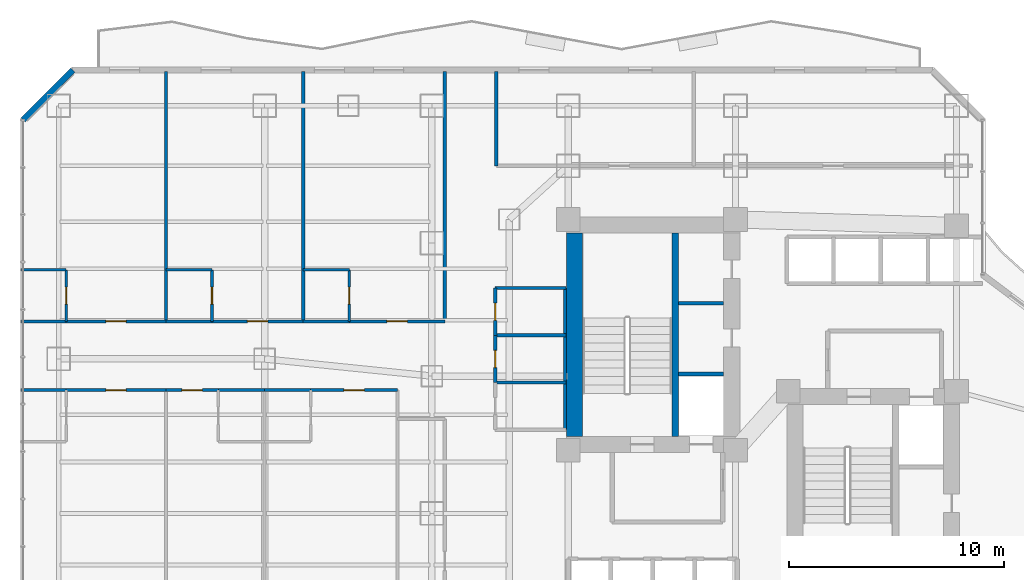
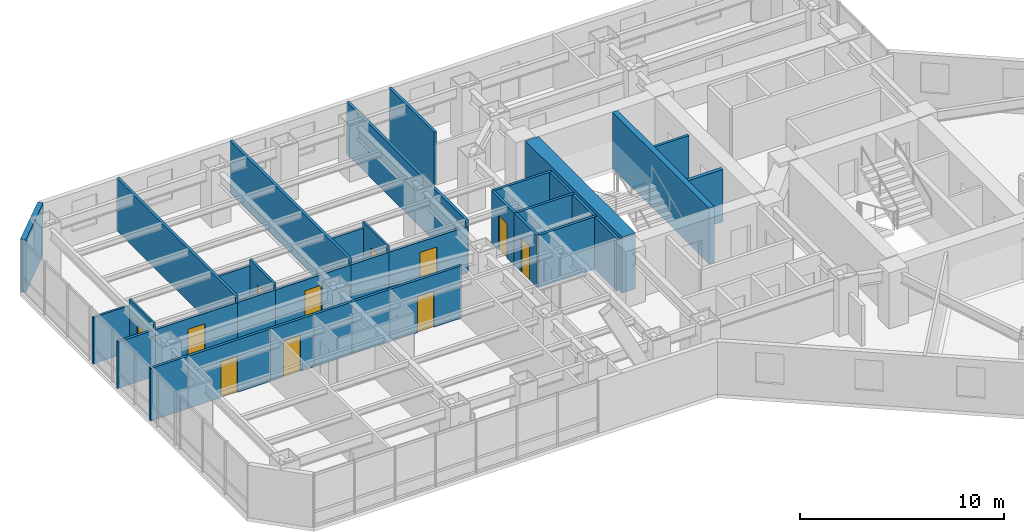
# One storey, part 25 of 32: 33 walls, 11 doors, 11 openings.
"""IFC4 building model written with IfcOpenShell, lengths in metres."""

from ifc_helpers import new_model, si_unit, direction, frame, frame_2d, origin, place, context, subcontext, project, spatial, rectangle, extrude, material, layer, layer_set, type_object, element, fill, save


model = new_model("IFC4")

# Units and contexts
model_context = context("Model", 3, precision=1e-05, world=origin(), true_north=direction((0.0, 1.0)))
body_context = subcontext(model_context, "Body", "Model", "MODEL_VIEW")
ifc_project = project(units=[si_unit("LENGTHUNIT", "METRE"), si_unit("AREAUNIT", "SQUARE_METRE"), si_unit("VOLUMEUNIT", "CUBIC_METRE"), si_unit("PLANEANGLEUNIT", "RADIAN"), si_unit("MASSUNIT", "GRAM", prefix="KILO")], contexts=[model_context])

# Site, building, storey
site_placement = place(None, origin())
site = spatial("IfcSite", under=ifc_project, at=site_placement, CompositionType="ELEMENT")
building_placement = place(site_placement, origin())
building = spatial("IfcBuilding", under=site, at=building_placement, Name="Hatsunagi Terrace Concourse", CompositionType="ELEMENT")
storey_placement = place(building_placement, frame((0.0, 0.0, 36.60009765625)))
storey = spatial("IfcBuildingStorey", under=building, at=storey_placement, Name="L08", CompositionType="ELEMENT", Elevation=36.60009765625)

# Walls
ifc_material_1 = material(Name="Concrete Fc60", Category="concrete")
ifc_layer_1 = layer(ifc_material_1, 0.75)
ifc_layer_set_1 = layer_set([ifc_layer_1], Name="CoreShearWall_Fc60_750")
wall_type_1 = type_object("IfcWallType", Name="CoreShearWall_Fc60_750", PredefinedType="SHEAR", material=ifc_layer_set_1)
wall_1_placement = place(storey_placement, frame((25.844970703125, 33.18994140625, 0.0), z_axis=(0.0, 0.0, 1.0), x_axis=(0.0, 1.0, 0.0)))
element("IfcWall", 1, at=wall_1_placement, inside=storey, type_object=wall_type_1, Name="Core A Shear Wall W L08", PredefinedType="SHEAR", context=body_context, shape_type="SweptSolid", body=[
    extrude(rectangle(XDim=9.47998046875, YDim=0.75, at=frame_2d((4.739990234375, 0.0))), origin(), (0.0, 0.0, 1.0), 3.349853515625),
])
ifc_material_2 = material(Name="Concrete Fc48", Category="concrete")
ifc_layer_2 = layer(ifc_material_2, 0.300048828125)
ifc_layer_set_2 = layer_set([ifc_layer_2], Name="CoreStairDivider_Fc48_300")
wall_type_2 = type_object("IfcWallType", Name="CoreStairDivider_Fc48_300", PredefinedType="SHEAR", material=ifc_layer_set_2)
wall_2_placement = place(storey_placement, frame((30.5400390625, 33.18994140625, 0.0), z_axis=(0.0, 0.0, 1.0), x_axis=(0.0, 1.0, 0.0)))
element("IfcWall", 2, at=wall_2_placement, inside=storey, type_object=wall_type_2, Name="Core A Shear Wall D L08", PredefinedType="SHEAR", context=body_context, shape_type="SweptSolid", body=[
    extrude(rectangle(XDim=9.47998046875, YDim=0.300048828125, at=frame_2d((4.739990234375, 0.0))), origin(), (0.0, 0.0, 1.0), 3.349853515625),
])

# Wall, opening, door
ifc_material_3 = material(Name="Acoustic mineral board", Category="gypsum")
ifc_layer_3 = layer(ifc_material_3, 0.1201171875)
ifc_layer_set_3 = layer_set([ifc_layer_3], Name="PartitionWall_EI30_120")
wall_type_3 = type_object("IfcWallType", Name="PartitionWall_EI30_120", PredefinedType="PARTITIONING", material=ifc_layer_set_3)
wall_3_placement = place(storey_placement, frame((2.14990234375, 38.550048828125, 0.0), z_axis=(0.0, 0.0, 1.0), x_axis=(0.0, 1.0, 0.0)))
wall_3 = element("IfcWall", 3, at=wall_3_placement, inside=storey, type_object=wall_type_3, Name="Interior Partition IW-L08-046", PredefinedType="PARTITIONING", context=body_context, shape_type="SweptSolid", body=[
    extrude(rectangle(XDim=2.39990234375, YDim=0.1201171875, at=frame_2d((1.199951171875, 0.0))), origin(), (0.0, 0.0, 1.0), 3.1298828125),
])
opening_1_placement = place(wall_3_placement, frame((0.800048828125, 0.0, 0.0)))
opening_1 = element("IfcOpeningElement", 4, at=opening_1_placement, cuts=wall_3, Name="Opening DR-080", PredefinedType="OPENING", context=body_context, shape_type="SweptSolid", body=[
    extrude(rectangle(XDim=0.800048828125, YDim=2.06005859375, at=frame_2d((0.39990234375, 1.030029296875))), frame((0.0, 0.070068359375, 0.0), z_axis=(0.0, -1.0, 0.0), x_axis=(1.0, 0.0, 0.0)), (0.0, 0.0, 1.0), 0.14013671875),
])
ifc_material_4 = material(Name="Hardwood timber", Category="wood")
door_type_1 = type_object("IfcDoorType", Name="BathroomDoor_800", OperationType="NOTDEFINED", PredefinedType="DOOR", material=ifc_material_4)
door_1_placement = place(opening_1_placement, origin())
door_1 = element("IfcDoor", 5, at=door_1_placement, inside=storey, type_object=door_type_1, Name="En-Suite Bathroom L08-N1 Door", OperationType="SINGLE_SWING_RIGHT", OverallHeight=2.06005859375, OverallWidth=0.800048828125, PredefinedType="DOOR", context=body_context, shape_type="SweptSolid", body=[
    extrude(rectangle(XDim=0.800048828125, YDim=2.06005859375, at=frame_2d((0.39990234375, 1.030029296875))), frame((0.0, 0.02490234375, 0.0), z_axis=(0.0, -1.0, 0.0), x_axis=(1.0, 0.0, 0.0)), (0.0, 0.0, 1.0), 0.050048828125),
])
fill(opening_1, door_1)

# Wall
wall_4_placement = place(storey_placement, frame((0.0400390625, 40.949951171875, 0.0), z_axis=(0.0, 0.0, 1.0), x_axis=(1.0, 0.0, 0.0)))
element("IfcWall", 6, at=wall_4_placement, inside=storey, type_object=wall_type_3, Name="Interior Partition IW-L08-047", PredefinedType="PARTITIONING", context=body_context, shape_type="SweptSolid", body=[
    extrude(rectangle(XDim=2.10986328125, YDim=0.1201171875, at=frame_2d((1.054931640625, 0.0))), origin(), (0.0, 0.0, 1.0), 2.77490234375),
])

# Wall, opening, door
wall_5_placement = place(storey_placement, frame((8.949951171875, 38.550048828125, 0.0), z_axis=(0.0, 0.0, 1.0), x_axis=(0.0, 1.0, 0.0)))
wall_5 = element("IfcWall", 7, at=wall_5_placement, inside=storey, type_object=wall_type_3, Name="Interior Partition IW-L08-051", PredefinedType="PARTITIONING", context=body_context, shape_type="SweptSolid", body=[
    extrude(rectangle(XDim=2.39990234375, YDim=0.1201171875, at=frame_2d((1.199951171875, 0.0))), origin(), (0.0, 0.0, 1.0), 3.1298828125),
])
opening_2_placement = place(wall_5_placement, frame((0.800048828125, 0.0, 0.0)))
opening_2 = element("IfcOpeningElement", 8, at=opening_2_placement, cuts=wall_5, Name="Opening DR-080", PredefinedType="OPENING", context=body_context, shape_type="SweptSolid", body=[
    extrude(rectangle(XDim=0.800048828125, YDim=2.06005859375, at=frame_2d((0.39990234375, 1.030029296875))), frame((0.0, 0.070068359375, 0.0), z_axis=(0.0, -1.0, 0.0), x_axis=(1.0, 0.0, 0.0)), (0.0, 0.0, 1.0), 0.14013671875),
])
door_2_placement = place(opening_2_placement, origin())
door_2 = element("IfcDoor", 9, at=door_2_placement, inside=storey, type_object=door_type_1, Name="En-Suite Bathroom L08-N2 Door", OperationType="SINGLE_SWING_LEFT", OverallHeight=2.06005859375, OverallWidth=0.800048828125, PredefinedType="DOOR", context=body_context, shape_type="SweptSolid", body=[
    extrude(rectangle(XDim=0.800048828125, YDim=2.06005859375, at=frame_2d((0.39990234375, 1.030029296875))), frame((0.0, 0.02490234375, 0.0), z_axis=(0.0, -1.0, 0.0), x_axis=(1.0, 0.0, 0.0)), (0.0, 0.0, 1.0), 0.050048828125),
])
fill(opening_2, door_2)

# Wall
wall_6_placement = place(storey_placement, frame((6.800048828125, 40.949951171875, 0.0), z_axis=(0.0, 0.0, 1.0), x_axis=(1.0, 0.0, 0.0)))
element("IfcWall", 10, at=wall_6_placement, inside=storey, type_object=wall_type_3, Name="Interior Partition IW-L08-052", PredefinedType="PARTITIONING", context=body_context, shape_type="SweptSolid", body=[
    extrude(rectangle(XDim=2.14990234375, YDim=0.1201171875, at=frame_2d((1.074951171875, 0.0))), origin(), (0.0, 0.0, 1.0), 2.77490234375),
])

# Wall, opening, door
wall_7_placement = place(storey_placement, frame((15.35009765625, 38.550048828125, 0.0), z_axis=(0.0, 0.0, 1.0), x_axis=(0.0, 1.0, 0.0)))
wall_7 = element("IfcWall", 11, at=wall_7_placement, inside=storey, type_object=wall_type_3, Name="Interior Partition IW-L08-056", PredefinedType="PARTITIONING", context=body_context, shape_type="SweptSolid", body=[
    extrude(rectangle(XDim=2.39990234375, YDim=0.1201171875, at=frame_2d((1.199951171875, 0.0))), origin(), (0.0, 0.0, 1.0), 3.1298828125),
])
opening_3_placement = place(wall_7_placement, frame((0.800048828125, 0.0, 0.0)))
opening_3 = element("IfcOpeningElement", 12, at=opening_3_placement, cuts=wall_7, Name="Opening DR-080", PredefinedType="OPENING", context=body_context, shape_type="SweptSolid", body=[
    extrude(rectangle(XDim=0.800048828125, YDim=2.06005859375, at=frame_2d((0.39990234375, 1.030029296875))), frame((0.0, 0.070068359375, 0.0), z_axis=(0.0, -1.0, 0.0), x_axis=(1.0, 0.0, 0.0)), (0.0, 0.0, 1.0), 0.14013671875),
])
door_3_placement = place(opening_3_placement, origin())
door_3 = element("IfcDoor", 13, at=door_3_placement, inside=storey, type_object=door_type_1, Name="En-Suite Bathroom L08-N3 Door", OperationType="SINGLE_SWING_LEFT", OverallHeight=2.06005859375, OverallWidth=0.800048828125, PredefinedType="DOOR", context=body_context, shape_type="SweptSolid", body=[
    extrude(rectangle(XDim=0.800048828125, YDim=2.06005859375, at=frame_2d((0.39990234375, 1.030029296875))), frame((0.0, 0.02490234375, 0.0), z_axis=(0.0, -1.0, 0.0), x_axis=(1.0, 0.0, 0.0)), (0.0, 0.0, 1.0), 0.050048828125),
])
fill(opening_3, door_3)

# Walls
wall_8_placement = place(storey_placement, frame((13.199951171875, 40.949951171875, 0.0), z_axis=(0.0, 0.0, 1.0), x_axis=(1.0, 0.0, 0.0)))
element("IfcWall", 14, at=wall_8_placement, inside=storey, type_object=wall_type_3, Name="Interior Partition IW-L08-057", PredefinedType="PARTITIONING", context=body_context, shape_type="SweptSolid", body=[
    extrude(rectangle(XDim=2.150146484375, YDim=0.1201171875, at=frame_2d((1.0751953125, 0.0))), origin(), (0.0, 0.0, 1.0), 2.77490234375),
])
ifc_material_5 = material(Name="Acoustic mineral board", Category="gypsum")
ifc_layer_4 = layer(ifc_material_5, 0.14990234375)
ifc_layer_set_4 = layer_set([ifc_layer_4], Name="PartitionWall_EI60_150")
wall_type_4 = type_object("IfcWallType", Name="PartitionWall_EI60_150", PredefinedType="PARTITIONING", material=ifc_layer_set_4)
wall_9_placement = place(storey_placement, frame((30.699951171875, 39.39990234375, 0.0), z_axis=(0.0, 0.0, 1.0), x_axis=(1.0, 0.0, 0.0)))
element("IfcWall", 15, at=wall_9_placement, inside=storey, type_object=wall_type_4, Name="Interior Partition IW-L08-002", PredefinedType="PARTITIONING", context=body_context, shape_type="SweptSolid", body=[
    extrude(rectangle(XDim=2.10009765625, YDim=0.14990234375, at=frame_2d((1.050048828125, 0.0))), origin(), (0.0, 0.0, 1.0), 3.1298828125),
])
wall_10_placement = place(storey_placement, frame((22.14990234375, 40.10009765625, 0.0), z_axis=(0.0, 0.0, 1.0), x_axis=(1.0, 0.0, 0.0)))
element("IfcWall", 16, at=wall_10_placement, inside=storey, type_object=wall_type_4, Name="Interior Partition IW-L08-030", PredefinedType="PARTITIONING", context=body_context, shape_type="SweptSolid", body=[
    extrude(rectangle(XDim=3.300048828125, YDim=0.14990234375, at=frame_2d((1.64990234375, 0.0))), origin(), (0.0, 0.0, 1.0), 3.1298828125),
])
wall_11_placement = place(storey_placement, frame((25.39990234375, 33.5, 0.0), z_axis=(0.0, 0.0, 1.0), x_axis=(0.0, 1.0, 0.0)))
element("IfcWall", 17, at=wall_11_placement, inside=storey, type_object=wall_type_4, Name="Interior Partition IW-L08-031", PredefinedType="PARTITIONING", context=body_context, shape_type="SweptSolid", body=[
    extrude(rectangle(XDim=6.60009765625, YDim=0.14990234375, at=frame_2d((3.300048828125, 0.0))), origin(), (0.0, 0.0, 1.0), 3.1298828125),
])
for number, where, z_axis, x_axis, name in (
    (18, (22.14990234375, 35.699951171875, 0.0), (0.0, 0.0, 1.0), (1.0, 0.0, 0.0), "Interior Partition IW-L08-032"),
    (19, (22.14990234375, 37.89990234375, 0.0), (0.0, 0.0, 1.0), (1.0, 0.0, 0.0), "Interior Partition IW-L08-033"),
):
    element("IfcWall", number, at=place(storey_placement, frame(where, z_axis=z_axis, x_axis=x_axis)), inside=storey, type_object=wall_type_4, Name=name, PredefinedType="PARTITIONING", context=body_context, shape_type="SweptSolid", body=[
        extrude(rectangle(XDim=3.300048828125, YDim=0.14990234375, at=frame_2d((1.64990234375, 0.0))), origin(), (0.0, 0.0, 1.0), 3.1298828125),
    ])

# Wall, opening, door
wall_12_placement = place(storey_placement, frame((22.14990234375, 35.699951171875, 0.0), z_axis=(0.0, 0.0, 1.0), x_axis=(0.0, 1.0, 0.0)))
wall_12 = element("IfcWall", 20, at=wall_12_placement, inside=storey, type_object=wall_type_4, Name="Interior Partition IW-L08-035", PredefinedType="PARTITIONING", context=body_context, shape_type="SweptSolid", body=[
    extrude(rectangle(XDim=2.199951171875, YDim=0.14990234375, at=frame_2d((1.10009765625, 0.0))), origin(), (0.0, 0.0, 1.0), 3.1298828125),
])
opening_4_placement = place(wall_12_placement, frame((0.699951171875, 0.0, 0.0)))
opening_4 = element("IfcOpeningElement", 21, at=opening_4_placement, cuts=wall_12, Name="Opening DR-080", PredefinedType="OPENING", context=body_context, shape_type="SweptSolid", body=[
    extrude(rectangle(XDim=0.800048828125, YDim=2.06005859375, at=frame_2d((0.39990234375, 1.030029296875))), frame((0.0, 0.0849609375, 0.0), z_axis=(0.0, -1.0, 0.0), x_axis=(1.0, 0.0, 0.0)), (0.0, 0.0, 1.0), 0.169921875),
])
door_4_placement = place(opening_4_placement, origin())
door_4 = element("IfcDoor", 22, at=door_4_placement, inside=storey, type_object=door_type_1, Name="Female Restroom Door L08", OperationType="SINGLE_SWING_RIGHT", OverallHeight=2.06005859375, OverallWidth=0.800048828125, PredefinedType="DOOR", context=body_context, shape_type="SweptSolid", body=[
    extrude(rectangle(XDim=0.800048828125, YDim=2.06005859375, at=frame_2d((0.39990234375, 1.030029296875))), frame((0.0, 0.02490234375, 0.0), z_axis=(0.0, -1.0, 0.0), x_axis=(1.0, 0.0, 0.0)), (0.0, 0.0, 1.0), 0.050048828125),
])
fill(opening_4, door_4)

wall_13_placement = place(storey_placement, frame((22.14990234375, 37.89990234375, 0.0), z_axis=(0.0, 0.0, 1.0), x_axis=(0.0, 1.0, 0.0)))
wall_13 = element("IfcWall", 23, at=wall_13_placement, inside=storey, type_object=wall_type_4, Name="Interior Partition IW-L08-036", PredefinedType="PARTITIONING", context=body_context, shape_type="SweptSolid", body=[
    extrude(rectangle(XDim=2.2001953125, YDim=0.14990234375, at=frame_2d((1.10009765625, 0.0))), origin(), (0.0, 0.0, 1.0), 3.1298828125),
])
opening_5_placement = place(wall_13_placement, frame((0.699951171875, 0.0, 0.0)))
opening_5 = element("IfcOpeningElement", 24, at=opening_5_placement, cuts=wall_13, Name="Opening DR-080", PredefinedType="OPENING", context=body_context, shape_type="SweptSolid", body=[
    extrude(rectangle(XDim=0.800048828125, YDim=2.06005859375, at=frame_2d((0.39990234375, 1.030029296875))), frame((0.0, 0.0849609375, 0.0), z_axis=(0.0, -1.0, 0.0), x_axis=(1.0, 0.0, 0.0)), (0.0, 0.0, 1.0), 0.169921875),
])
door_5_placement = place(opening_5_placement, origin())
door_5 = element("IfcDoor", 25, at=door_5_placement, inside=storey, type_object=door_type_1, Name="Male Restroom Door L08", OperationType="SINGLE_SWING_RIGHT", OverallHeight=2.06005859375, OverallWidth=0.800048828125, PredefinedType="DOOR", context=body_context, shape_type="SweptSolid", body=[
    extrude(rectangle(XDim=0.800048828125, YDim=2.06005859375, at=frame_2d((0.39990234375, 1.030029296875))), frame((0.0, 0.02490234375, 0.0), z_axis=(0.0, -1.0, 0.0), x_axis=(1.0, 0.0, 0.0)), (0.0, 0.0, 1.0), 0.050048828125),
])
fill(opening_5, door_5)

# Walls
wall_14_placement = place(storey_placement, frame((22.199951171875, 45.800048828125, 0.0), z_axis=(0.0, 0.0, 1.0), x_axis=(0.0, 1.0, 0.0)))
element("IfcWall", 26, at=wall_14_placement, inside=storey, type_object=wall_type_4, Name="Interior Partition IW-L08-038", PredefinedType="PARTITIONING", context=body_context, shape_type="SweptSolid", body=[
    extrude(rectangle(XDim=4.39990234375, YDim=0.14990234375, at=frame_2d((2.199951171875, 0.0))), origin(), (0.0, 0.0, 1.0), 3.1298828125),
])
wall_15_placement = place(storey_placement, frame((0.0400390625, 38.550048828125, 0.0), z_axis=(0.0, 0.0, 1.0), x_axis=(1.0, 0.0, 0.0)))
element("IfcWall", 27, at=wall_15_placement, inside=storey, type_object=wall_type_4, Name="Interior Partition IW-L08-044", PredefinedType="PARTITIONING", context=body_context, shape_type="SweptSolid", body=[
    extrude(rectangle(XDim=2.10986328125, YDim=0.14990234375, at=frame_2d((1.054931640625, 0.0))), origin(), (0.0, 0.0, 1.0), 2.77490234375),
])

# Wall, opening, door
wall_16_placement = place(storey_placement, frame((2.14990234375, 38.550048828125, 0.0), z_axis=(0.0, 0.0, 1.0), x_axis=(1.0, 0.0, 0.0)))
wall_16 = element("IfcWall", 28, at=wall_16_placement, inside=storey, type_object=wall_type_4, Name="Interior Partition IW-L08-045", PredefinedType="PARTITIONING", context=body_context, shape_type="SweptSolid", body=[
    extrude(rectangle(XDim=4.650146484375, YDim=0.14990234375, at=frame_2d((2.3251953125, 0.0))), origin(), (0.0, 0.0, 1.0), 2.77490234375),
])
opening_6_placement = place(wall_16_placement, frame((1.85009765625, 0.0, 0.0)))
opening_6 = element("IfcOpeningElement", 29, at=opening_6_placement, cuts=wall_16, Name="Opening DR-095", PredefinedType="OPENING", context=body_context, shape_type="SweptSolid", body=[
    extrude(rectangle(XDim=0.949951171875, YDim=2.14990234375, at=frame_2d((0.47509765625, 1.074951171875))), frame((0.0, 0.0849609375, 0.0), z_axis=(0.0, -1.0, 0.0), x_axis=(1.0, 0.0, 0.0)), (0.0, 0.0, 1.0), 0.169921875),
])
ifc_material_6 = material(Name="Hardwood timber", Category="wood")
door_type_2 = type_object("IfcDoorType", Name="InteriorSuiteDoor_EI30_950", OperationType="NOTDEFINED", PredefinedType="DOOR", material=ifc_material_6)
door_6_placement = place(opening_6_placement, origin())
door_6 = element("IfcDoor", 30, at=door_6_placement, inside=storey, type_object=door_type_2, Name="Corner Hotel Suite L08-N1 Door", OperationType="SINGLE_SWING_LEFT", OverallHeight=2.14990234375, OverallWidth=0.949951171875, PredefinedType="DOOR", context=body_context, shape_type="SweptSolid", body=[
    extrude(rectangle(XDim=0.949951171875, YDim=2.14990234375, at=frame_2d((0.47509765625, 1.074951171875))), frame((0.0, 0.02490234375, 0.0), z_axis=(0.0, -1.0, 0.0), x_axis=(1.0, 0.0, 0.0)), (0.0, 0.0, 1.0), 0.050048828125),
])
fill(opening_6, door_6)

# Walls
wall_17_placement = place(storey_placement, frame((6.800048828125, 38.550048828125, 0.0), z_axis=(0.0, 0.0, 1.0), x_axis=(0.0, 1.0, 0.0)))
element("IfcWall", 31, at=wall_17_placement, inside=storey, type_object=wall_type_4, Name="Interior Partition IW-L08-048", PredefinedType="PARTITIONING", context=body_context, shape_type="SweptSolid", body=[
    extrude(rectangle(XDim=11.64990234375, YDim=0.14990234375, at=frame_2d((5.824951171875, 0.0))), origin(), (0.0, 0.0, 1.0), 3.1298828125),
])
wall_18_placement = place(storey_placement, frame((6.800048828125, 38.550048828125, 0.0), z_axis=(0.0, 0.0, 1.0), x_axis=(1.0, 0.0, 0.0)))
element("IfcWall", 32, at=wall_18_placement, inside=storey, type_object=wall_type_4, Name="Interior Partition IW-L08-049", PredefinedType="PARTITIONING", context=body_context, shape_type="SweptSolid", body=[
    extrude(rectangle(XDim=2.14990234375, YDim=0.14990234375, at=frame_2d((1.074951171875, 0.0))), origin(), (0.0, 0.0, 1.0), 2.77490234375),
])

# Wall, opening, door
wall_19_placement = place(storey_placement, frame((8.949951171875, 38.550048828125, 0.0), z_axis=(0.0, 0.0, 1.0), x_axis=(1.0, 0.0, 0.0)))
wall_19 = element("IfcWall", 33, at=wall_19_placement, inside=storey, type_object=wall_type_4, Name="Interior Partition IW-L08-050", PredefinedType="PARTITIONING", context=body_context, shape_type="SweptSolid", body=[
    extrude(rectangle(XDim=4.25, YDim=0.14990234375, at=frame_2d((2.125, 0.0))), origin(), (0.0, 0.0, 1.0), 2.77490234375),
])
opening_7_placement = place(wall_19_placement, frame((1.64990234375, 0.0, 0.0)))
opening_7 = element("IfcOpeningElement", 34, at=opening_7_placement, cuts=wall_19, Name="Opening DR-095", PredefinedType="OPENING", context=body_context, shape_type="SweptSolid", body=[
    extrude(rectangle(XDim=0.949951171875, YDim=2.14990234375, at=frame_2d((0.47509765625, 1.074951171875))), frame((0.0, 0.0849609375, 0.0), z_axis=(0.0, -1.0, 0.0), x_axis=(1.0, 0.0, 0.0)), (0.0, 0.0, 1.0), 0.169921875),
])
door_7_placement = place(opening_7_placement, origin())
door_7 = element("IfcDoor", 35, at=door_7_placement, inside=storey, type_object=door_type_2, Name="Hotel Guest Room L08-N2 Door", OperationType="SINGLE_SWING_LEFT", OverallHeight=2.14990234375, OverallWidth=0.949951171875, PredefinedType="DOOR", context=body_context, shape_type="SweptSolid", body=[
    extrude(rectangle(XDim=0.949951171875, YDim=2.14990234375, at=frame_2d((0.47509765625, 1.074951171875))), frame((0.0, 0.02490234375, 0.0), z_axis=(0.0, -1.0, 0.0), x_axis=(1.0, 0.0, 0.0)), (0.0, 0.0, 1.0), 0.050048828125),
])
fill(opening_7, door_7)

# Walls
wall_20_placement = place(storey_placement, frame((13.199951171875, 38.550048828125, 0.0), z_axis=(0.0, 0.0, 1.0), x_axis=(0.0, 1.0, 0.0)))
element("IfcWall", 36, at=wall_20_placement, inside=storey, type_object=wall_type_4, Name="Interior Partition IW-L08-053", PredefinedType="PARTITIONING", context=body_context, shape_type="SweptSolid", body=[
    extrude(rectangle(XDim=11.64990234375, YDim=0.14990234375, at=frame_2d((5.824951171875, 0.0))), origin(), (0.0, 0.0, 1.0), 3.1298828125),
])
wall_21_placement = place(storey_placement, frame((13.199951171875, 38.550048828125, 0.0), z_axis=(0.0, 0.0, 1.0), x_axis=(1.0, 0.0, 0.0)))
element("IfcWall", 37, at=wall_21_placement, inside=storey, type_object=wall_type_4, Name="Interior Partition IW-L08-054", PredefinedType="PARTITIONING", context=body_context, shape_type="SweptSolid", body=[
    extrude(rectangle(XDim=2.150146484375, YDim=0.14990234375, at=frame_2d((1.0751953125, 0.0))), origin(), (0.0, 0.0, 1.0), 2.77490234375),
])

# Wall, opening, door
wall_22_placement = place(storey_placement, frame((15.35009765625, 38.550048828125, 0.0), z_axis=(0.0, 0.0, 1.0), x_axis=(1.0, 0.0, 0.0)))
wall_22 = element("IfcWall", 38, at=wall_22_placement, inside=storey, type_object=wall_type_4, Name="Interior Partition IW-L08-055", PredefinedType="PARTITIONING", context=body_context, shape_type="SweptSolid", body=[
    extrude(rectangle(XDim=4.449951171875, YDim=0.14990234375, at=frame_2d((2.22509765625, 0.0))), origin(), (0.0, 0.0, 1.0), 2.77490234375),
])
opening_8_placement = place(wall_22_placement, frame((1.75, 0.0, 0.0)))
opening_8 = element("IfcOpeningElement", 39, at=opening_8_placement, cuts=wall_22, Name="Opening DR-095", PredefinedType="OPENING", context=body_context, shape_type="SweptSolid", body=[
    extrude(rectangle(XDim=0.949951171875, YDim=2.14990234375, at=frame_2d((0.47509765625, 1.074951171875))), frame((0.0, 0.0849609375, 0.0), z_axis=(0.0, -1.0, 0.0), x_axis=(1.0, 0.0, 0.0)), (0.0, 0.0, 1.0), 0.169921875),
])
door_8_placement = place(opening_8_placement, origin())
door_8 = element("IfcDoor", 40, at=door_8_placement, inside=storey, type_object=door_type_2, Name="Corner Hotel Suite L08-N3 Door", OperationType="SINGLE_SWING_LEFT", OverallHeight=2.14990234375, OverallWidth=0.949951171875, PredefinedType="DOOR", context=body_context, shape_type="SweptSolid", body=[
    extrude(rectangle(XDim=0.949951171875, YDim=2.14990234375, at=frame_2d((0.47509765625, 1.074951171875))), frame((0.0, 0.02490234375, 0.0), z_axis=(0.0, -1.0, 0.0), x_axis=(1.0, 0.0, 0.0)), (0.0, 0.0, 1.0), 0.050048828125),
])
fill(opening_8, door_8)

# Walls
wall_23_placement = place(storey_placement, frame((19.800048828125, 38.550048828125, 0.0), z_axis=(0.0, 0.0, 1.0), x_axis=(0.0, 1.0, 0.0)))
element("IfcWall", 41, at=wall_23_placement, inside=storey, type_object=wall_type_4, Name="Interior Partition IW-L08-058", PredefinedType="PARTITIONING", context=body_context, shape_type="SweptSolid", body=[
    extrude(rectangle(XDim=11.64990234375, YDim=0.14990234375, at=frame_2d((5.824951171875, 0.0))), origin(), (0.0, 0.0, 1.0), 3.1298828125),
])
wall_24_placement = place(storey_placement, frame((0.0400390625, 35.35009765625, 0.0), z_axis=(0.0, 0.0, 1.0), x_axis=(1.0, 0.0, 0.0)))
element("IfcWall", 42, at=wall_24_placement, inside=storey, type_object=wall_type_4, Name="Interior Partition IW-L08-059", PredefinedType="PARTITIONING", context=body_context, shape_type="SweptSolid", body=[
    extrude(rectangle(XDim=2.10986328125, YDim=0.14990234375, at=frame_2d((1.054931640625, 0.0))), origin(), (0.0, 0.0, 1.0), 3.1298828125),
])

# Wall, opening, door
wall_25_placement = place(storey_placement, frame((2.14990234375, 35.35009765625, 0.0), z_axis=(0.0, 0.0, 1.0), x_axis=(1.0, 0.0, 0.0)))
wall_25 = element("IfcWall", 43, at=wall_25_placement, inside=storey, type_object=wall_type_4, Name="Interior Partition IW-L08-060", PredefinedType="PARTITIONING", context=body_context, shape_type="SweptSolid", body=[
    extrude(rectangle(XDim=4.650146484375, YDim=0.14990234375, at=frame_2d((2.3251953125, 0.0))), origin(), (0.0, 0.0, 1.0), 3.1298828125),
])
opening_9_placement = place(wall_25_placement, frame((1.85009765625, 0.0, 0.0)))
opening_9 = element("IfcOpeningElement", 44, at=opening_9_placement, cuts=wall_25, Name="Opening DR-095", PredefinedType="OPENING", context=body_context, shape_type="SweptSolid", body=[
    extrude(rectangle(XDim=0.949951171875, YDim=2.14990234375, at=frame_2d((0.47509765625, 1.074951171875))), frame((0.0, 0.0849609375, 0.0), z_axis=(0.0, -1.0, 0.0), x_axis=(1.0, 0.0, 0.0)), (0.0, 0.0, 1.0), 0.169921875),
])
door_9_placement = place(opening_9_placement, origin())
door_9 = element("IfcDoor", 45, at=door_9_placement, inside=storey, type_object=door_type_2, Name="Corner Hotel Suite L08-S1 Door", OperationType="SINGLE_SWING_RIGHT", OverallHeight=2.14990234375, OverallWidth=0.949951171875, PredefinedType="DOOR", context=body_context, shape_type="SweptSolid", body=[
    extrude(rectangle(XDim=0.949951171875, YDim=2.14990234375, at=frame_2d((0.47509765625, 1.074951171875))), frame((0.0, 0.02490234375, 0.0), z_axis=(0.0, -1.0, 0.0), x_axis=(1.0, 0.0, 0.0)), (0.0, 0.0, 1.0), 0.050048828125),
])
fill(opening_9, door_9)

wall_26_placement = place(storey_placement, frame((6.800048828125, 35.35009765625, 0.0), z_axis=(0.0, 0.0, 1.0), x_axis=(1.0, 0.0, 0.0)))
wall_26 = element("IfcWall", 46, at=wall_26_placement, inside=storey, type_object=wall_type_4, Name="Interior Partition IW-L08-064", PredefinedType="PARTITIONING", context=body_context, shape_type="SweptSolid", body=[
    extrude(rectangle(XDim=2.449951171875, YDim=0.14990234375, at=frame_2d((1.22509765625, 0.0))), origin(), (0.0, 0.0, 1.0), 3.1298828125),
])
opening_10_placement = place(wall_26_placement, frame((0.75, 0.0, 0.0)))
opening_10 = element("IfcOpeningElement", 47, at=opening_10_placement, cuts=wall_26, Name="Opening DR-095", PredefinedType="OPENING", context=body_context, shape_type="SweptSolid", body=[
    extrude(rectangle(XDim=0.949951171875, YDim=2.14990234375, at=frame_2d((0.47509765625, 1.074951171875))), frame((0.0, 0.0849609375, 0.0), z_axis=(0.0, -1.0, 0.0), x_axis=(1.0, 0.0, 0.0)), (0.0, 0.0, 1.0), 0.169921875),
])
door_10_placement = place(opening_10_placement, origin())
door_10 = element("IfcDoor", 48, at=door_10_placement, inside=storey, type_object=door_type_2, Name="Hotel Guest Room L08-S2 Door", OperationType="SINGLE_SWING_RIGHT", OverallHeight=2.14990234375, OverallWidth=0.949951171875, PredefinedType="DOOR", context=body_context, shape_type="SweptSolid", body=[
    extrude(rectangle(XDim=0.949951171875, YDim=2.14990234375, at=frame_2d((0.47509765625, 1.074951171875))), frame((0.0, 0.02490234375, 0.0), z_axis=(0.0, -1.0, 0.0), x_axis=(1.0, 0.0, 0.0)), (0.0, 0.0, 1.0), 0.050048828125),
])
fill(opening_10, door_10)

# Walls
wall_27_placement = place(storey_placement, frame((9.25, 35.35009765625, 0.0), z_axis=(0.0, 0.0, 1.0), x_axis=(1.0, 0.0, 0.0)))
element("IfcWall", 49, at=wall_27_placement, inside=storey, type_object=wall_type_4, Name="Interior Partition IW-L08-065", PredefinedType="PARTITIONING", context=body_context, shape_type="SweptSolid", body=[
    extrude(rectangle(XDim=2.14990234375, YDim=0.14990234375, at=frame_2d((1.074951171875, 0.0))), origin(), (0.0, 0.0, 1.0), 3.1298828125),
])
wall_28_placement = place(storey_placement, frame((11.39990234375, 35.35009765625, 0.0), z_axis=(0.0, 0.0, 1.0), x_axis=(1.0, 0.0, 0.0)))
element("IfcWall", 50, at=wall_28_placement, inside=storey, type_object=wall_type_4, Name="Interior Partition IW-L08-069", PredefinedType="PARTITIONING", context=body_context, shape_type="SweptSolid", body=[
    extrude(rectangle(XDim=2.150146484375, YDim=0.14990234375, at=frame_2d((1.0751953125, 0.0))), origin(), (0.0, 0.0, 1.0), 3.1298828125),
])

# Wall, opening, door
wall_29_placement = place(storey_placement, frame((13.550048828125, 35.35009765625, 0.0), z_axis=(0.0, 0.0, 1.0), x_axis=(1.0, 0.0, 0.0)))
wall_29 = element("IfcWall", 51, at=wall_29_placement, inside=storey, type_object=wall_type_4, Name="Interior Partition IW-L08-070", PredefinedType="PARTITIONING", context=body_context, shape_type="SweptSolid", body=[
    extrude(rectangle(XDim=4.050048828125, YDim=0.14990234375, at=frame_2d((2.02490234375, 0.0))), origin(), (0.0, 0.0, 1.0), 3.1298828125),
])
opening_11_placement = place(wall_29_placement, frame((1.550048828125, 0.0, 0.0)))
opening_11 = element("IfcOpeningElement", 52, at=opening_11_placement, cuts=wall_29, Name="Opening DR-095", PredefinedType="OPENING", context=body_context, shape_type="SweptSolid", body=[
    extrude(rectangle(XDim=0.949951171875, YDim=2.14990234375, at=frame_2d((0.47509765625, 1.074951171875))), frame((0.0, 0.0849609375, 0.0), z_axis=(0.0, -1.0, 0.0), x_axis=(1.0, 0.0, 0.0)), (0.0, 0.0, 1.0), 0.169921875),
])
door_11_placement = place(opening_11_placement, origin())
door_11 = element("IfcDoor", 53, at=door_11_placement, inside=storey, type_object=door_type_2, Name="Hotel Guest Room L08-S3 Door", OperationType="SINGLE_SWING_RIGHT", OverallHeight=2.14990234375, OverallWidth=0.949951171875, PredefinedType="DOOR", context=body_context, shape_type="SweptSolid", body=[
    extrude(rectangle(XDim=0.949951171875, YDim=2.14990234375, at=frame_2d((0.47509765625, 1.074951171875))), frame((0.0, 0.02490234375, 0.0), z_axis=(0.0, -1.0, 0.0), x_axis=(1.0, 0.0, 0.0)), (0.0, 0.0, 1.0), 0.050048828125),
])
fill(opening_11, door_11)

# Walls
ifc_material_7 = material(Name="Acoustic mineral board", Category="gypsum")
ifc_layer_5 = layer(ifc_material_7, 0.199951171875)
ifc_layer_set_5 = layer_set([ifc_layer_5], Name="ShaftWall_EI120_200")
wall_type_5 = type_object("IfcWallType", Name="ShaftWall_EI120_200", PredefinedType="STANDARD", material=ifc_layer_set_5)
wall_30_placement = place(storey_placement, frame((30.699951171875, 36.10009765625, 0.0), z_axis=(0.0, 0.0, 1.0), x_axis=(1.0, 0.0, 0.0)))
element("IfcWall", 54, at=wall_30_placement, inside=storey, type_object=wall_type_5, Name="Interior Partition IW-L08-001", PredefinedType="STANDARD", context=body_context, shape_type="SweptSolid", body=[
    extrude(rectangle(XDim=2.10009765625, YDim=0.199951171875, at=frame_2d((1.050048828125, 0.0))), origin(), (0.0, 0.0, 1.0), 3.1298828125),
])
ifc_material_8 = material(Name="Autoclaved Lightweight Concrete and Terracotta Cladding", Category="masonry")
ifc_layer_6 = layer(ifc_material_8, 0.280029296875)
ifc_layer_set_6 = layer_set([ifc_layer_6], Name="TerracottaSpandrelWall_280")
wall_type_6 = type_object("IfcWallType", Name="TerracottaSpandrelWall_280", PredefinedType="STANDARD", material=ifc_layer_set_6)
wall_31_placement = place(storey_placement, frame((0.139892578125, 47.94189453125, 0.0), z_axis=(0.0, 0.0, 1.0), x_axis=(0.707106781187, 0.707106781187, 0.0)))
element("IfcWall", 55, at=wall_31_placement, inside=storey, type_object=wall_type_6, Name="Exterior Spandrel Wall EW-L08-10", PredefinedType="STANDARD", context=body_context, shape_type="SweptSolid", body=[
    extrude(rectangle(XDim=3.2783203125, YDim=0.280029296875, at=frame_2d((1.63916015625, 0.0))), origin(), (0.0, 0.0, 1.0), 3.1298828125),
])

save(model, "model.ifc")
